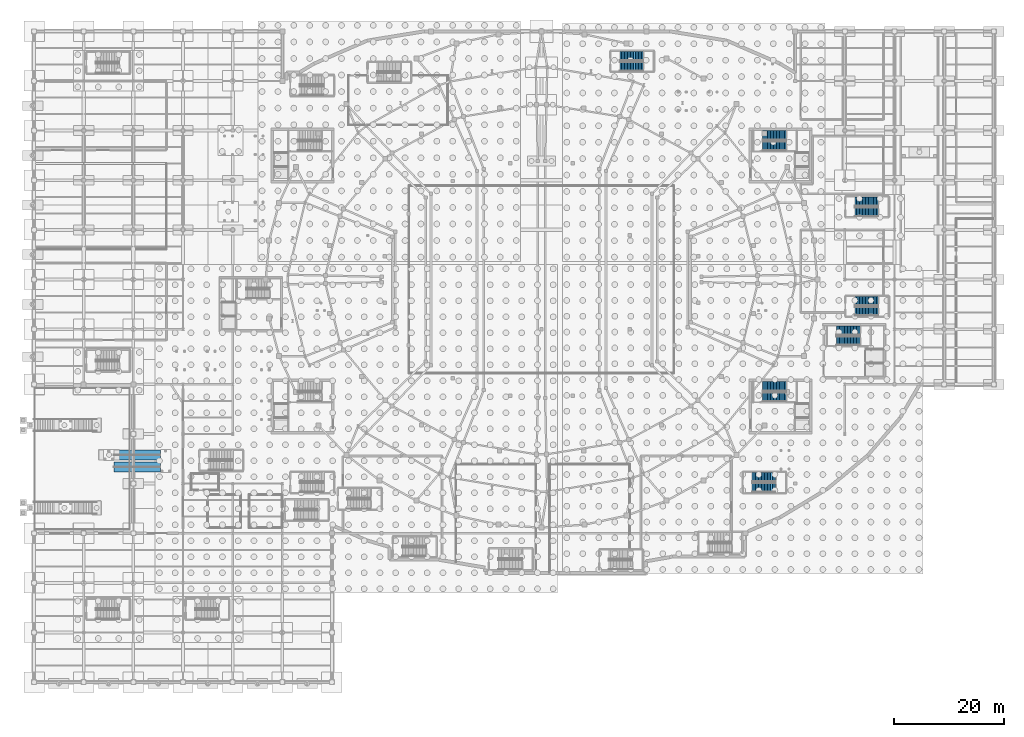
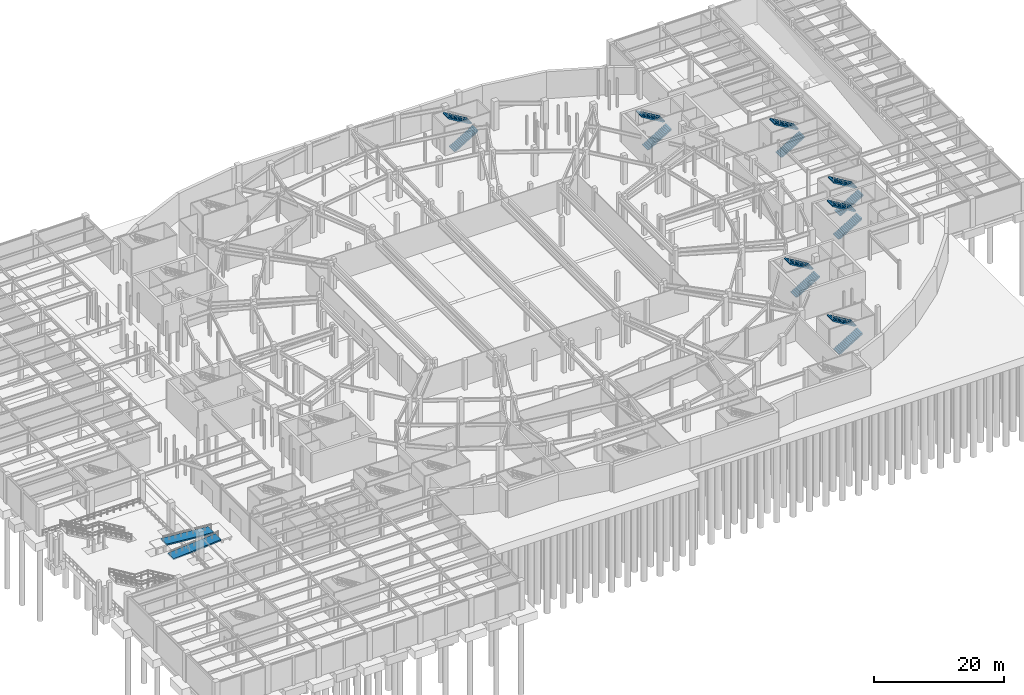
# One storey, part 51 of 56: 14 stair flights, 2 ramp flights, 9 elements without a shape of their own.
"""IFC4 building model written with IfcOpenShell, lengths in metres."""

from ifc_helpers import new_model, si_unit, direction, frame, origin, place, context, subcontext, project, spatial, polyline, outline, extrude, material, layer, layer_set, type_object, element, aggregate, save


model = new_model("IFC4")

# Units and contexts
model_context = context("Model", 3, precision=1e-05, world=origin(), true_north=direction((0.0, 1.0)))
body_context = subcontext(model_context, "Body", "Model", "MODEL_VIEW")
ifc_project = project(units=[si_unit("LENGTHUNIT", "METRE"), si_unit("AREAUNIT", "SQUARE_METRE"), si_unit("VOLUMEUNIT", "CUBIC_METRE"), si_unit("PLANEANGLEUNIT", "RADIAN"), si_unit("MASSUNIT", "GRAM", prefix="KILO")], contexts=[model_context])

# Site, building, storey
site_placement = place(None, origin())
site = spatial("IfcSite", under=ifc_project, at=site_placement, CompositionType="ELEMENT")
building_placement = place(site_placement, origin())
building = spatial("IfcBuilding", under=site, at=building_placement, Name="Glasvene Arena", CompositionType="ELEMENT")
storey_placement = place(building_placement, frame((0.0, 0.0, -5.39990234375)))
storey = spatial("IfcBuildingStorey", under=building, at=storey_placement, Name="B1", CompositionType="ELEMENT", Elevation=-5.39990234375)

# Stair, stair flights
ifc_material = material(Name="Concrete C40/50", Category="concrete")
stair_type_1 = type_object("IfcStairType", Name="ST-HT-540-165", PredefinedType="HALF_TURN_STAIR", material=ifc_material)
stair_1_placement = place(storey_placement, origin())
stair_1 = element("IfcStair", 1, at=stair_1_placement, inside=storey, type_object=stair_type_1, Name="Protected escape stair ST-11 (B1 to L00)", PredefinedType="HALF_TURN_STAIR")
stair_flight_type_1 = type_object("IfcStairFlightType", Name="SF-HT-540-165", PredefinedType="STRAIGHT", material=ifc_material)
stair_flight_1_placement = place(storey_placement, frame((106.199951171875, 111.625, 0.0), z_axis=(0.0, 0.0, 1.0), x_axis=(1.0, 0.0, 0.0)))
stair_flight_1 = element("IfcStairFlight", 2, at=stair_flight_1_placement, type_object=stair_flight_type_1, Name="Protected escape stair ST-11 (B1 to L00) flight 1", NumberOfRisers=16, NumberOfTreads=15, PredefinedType="STRAIGHT", RiserHeight=0.16875, TreadLength=0.28, context=body_context, shape_type="SweptSolid", body=[
    extrude(outline(polyline([(0.0, 0.0), (0.0, 0.168701171875), (0.280029296875, 0.168701171875), (0.280029296875, 0.33740234375), (0.56005859375, 0.33740234375), (0.56005859375, 0.50634765625), (0.840087890625, 0.50634765625), (0.840087890625, 0.675048828125), (1.1201171875, 0.675048828125), (1.1201171875, 0.84375), (1.39990234375, 0.84375), (1.39990234375, 1.012451171875), (1.679931640625, 1.012451171875), (1.679931640625, 1.18115234375), (1.9599609375, 1.18115234375), (1.9599609375, 1.35009765625), (2.239990234375, 1.35009765625), (2.239990234375, 1.518798828125), (2.52001953125, 1.518798828125), (2.52001953125, 1.6875), (2.800048828125, 1.6875), (2.800048828125, 1.856201171875), (3.080078125, 1.856201171875), (3.080078125, 2.02490234375), (3.360107421875, 2.02490234375), (3.360107421875, 2.19384765625), (3.639892578125, 2.19384765625), (3.639892578125, 2.362548828125), (3.919921875, 2.362548828125), (3.919921875, 2.53125), (4.199951171875, 2.53125), (4.199951171875, 2.699951171875), (4.199951171875, 2.2978515625), (0.387451171875, 0.0), (0.0, 0.0)])), frame((0.0, 0.824951171875, 0.0), z_axis=(0.0, -1.0, 0.0), x_axis=(1.0, 0.0, 0.0)), (0.0, 0.0, 1.0), 1.64990234375),
])
stair_flight_2_placement = place(storey_placement, frame((110.39990234375, 113.52490234375, 2.699951171875), z_axis=(0.0, 0.0, 1.0), x_axis=(-1.0, 0.0, 0.0)))
stair_flight_2 = element("IfcStairFlight", 3, at=stair_flight_2_placement, type_object=stair_flight_type_1, Name="Protected escape stair ST-11 (B1 to L00) flight 2", NumberOfRisers=16, NumberOfTreads=15, PredefinedType="STRAIGHT", RiserHeight=0.16875, TreadLength=0.28, context=body_context, shape_type="SweptSolid", body=[
    extrude(outline(polyline([(0.0, 0.0), (0.0, 0.168701171875), (0.280029296875, 0.168701171875), (0.280029296875, 0.33740234375), (0.56005859375, 0.33740234375), (0.56005859375, 0.50634765625), (0.840087890625, 0.50634765625), (0.840087890625, 0.675048828125), (1.1201171875, 0.675048828125), (1.1201171875, 0.84375), (1.39990234375, 0.84375), (1.39990234375, 1.012451171875), (1.679931640625, 1.012451171875), (1.679931640625, 1.18115234375), (1.9599609375, 1.18115234375), (1.9599609375, 1.35009765625), (2.239990234375, 1.35009765625), (2.239990234375, 1.518798828125), (2.52001953125, 1.518798828125), (2.52001953125, 1.6875), (2.800048828125, 1.6875), (2.800048828125, 1.856201171875), (3.080078125, 1.856201171875), (3.080078125, 2.02490234375), (3.360107421875, 2.02490234375), (3.360107421875, 2.19384765625), (3.639892578125, 2.19384765625), (3.639892578125, 2.362548828125), (3.919921875, 2.362548828125), (3.919921875, 2.53125), (4.199951171875, 2.53125), (4.199951171875, 2.699951171875), (4.199951171875, 2.2978515625), (0.387451171875, 0.0), (0.0, 0.0)])), frame((0.0, 0.824951171875, 0.0), z_axis=(0.0, -1.0, 0.0), x_axis=(1.0, 0.0, 0.0)), (0.0, 0.0, 1.0), 1.64990234375),
])
aggregate(stair_1, [stair_flight_1, stair_flight_2])

stair_2_placement = place(storey_placement, origin())
stair_2 = element("IfcStair", 4, at=stair_2_placement, inside=storey, type_object=stair_type_1, Name="Protected escape stair ST-B01 (B1 to L00)", PredefinedType="HALF_TURN_STAIR")
stair_flight_3_placement = place(storey_placement, frame((145.5, 61.875, 0.0), z_axis=(0.0, 0.0, 1.0), x_axis=(1.0, 0.0, 0.0)))
stair_flight_3 = element("IfcStairFlight", 5, at=stair_flight_3_placement, type_object=stair_flight_type_1, Name="Protected escape stair ST-B01 (B1 to L00) flight 1", NumberOfRisers=16, NumberOfTreads=15, PredefinedType="STRAIGHT", RiserHeight=0.16875, TreadLength=0.28, context=body_context, shape_type="SweptSolid", body=[
    extrude(outline(polyline([(0.0, 0.0), (0.0, 0.168701171875), (0.280029296875, 0.168701171875), (0.280029296875, 0.33740234375), (0.56005859375, 0.33740234375), (0.56005859375, 0.50634765625), (0.840087890625, 0.50634765625), (0.840087890625, 0.675048828125), (1.1201171875, 0.675048828125), (1.1201171875, 0.84375), (1.39990234375, 0.84375), (1.39990234375, 1.012451171875), (1.679931640625, 1.012451171875), (1.679931640625, 1.18115234375), (1.9599609375, 1.18115234375), (1.9599609375, 1.35009765625), (2.239990234375, 1.35009765625), (2.239990234375, 1.518798828125), (2.52001953125, 1.518798828125), (2.52001953125, 1.6875), (2.800048828125, 1.6875), (2.800048828125, 1.856201171875), (3.080078125, 1.856201171875), (3.080078125, 2.02490234375), (3.360107421875, 2.02490234375), (3.360107421875, 2.19384765625), (3.639892578125, 2.19384765625), (3.639892578125, 2.362548828125), (3.919921875, 2.362548828125), (3.919921875, 2.53125), (4.199951171875, 2.53125), (4.199951171875, 2.699951171875), (4.199951171875, 2.2978515625), (0.387451171875, 0.0), (0.0, 0.0)])), frame((0.0, 0.824951171875, 0.0), z_axis=(0.0, -1.0, 0.0), x_axis=(1.0, 0.0, 0.0)), (0.0, 0.0, 1.0), 1.64990234375),
])
stair_flight_4_placement = place(storey_placement, frame((149.699951171875, 63.77490234375, 2.699951171875), z_axis=(0.0, 0.0, 1.0), x_axis=(-1.0, 0.0, 0.0)))
stair_flight_4 = element("IfcStairFlight", 6, at=stair_flight_4_placement, type_object=stair_flight_type_1, Name="Protected escape stair ST-B01 (B1 to L00) flight 2", NumberOfRisers=16, NumberOfTreads=15, PredefinedType="STRAIGHT", RiserHeight=0.16875, TreadLength=0.28, context=body_context, shape_type="SweptSolid", body=[
    extrude(outline(polyline([(0.0, 0.0), (0.0, 0.168701171875), (0.280029296875, 0.168701171875), (0.280029296875, 0.33740234375), (0.56005859375, 0.33740234375), (0.56005859375, 0.50634765625), (0.840087890625, 0.50634765625), (0.840087890625, 0.675048828125), (1.1201171875, 0.675048828125), (1.1201171875, 0.84375), (1.39990234375, 0.84375), (1.39990234375, 1.012451171875), (1.679931640625, 1.012451171875), (1.679931640625, 1.18115234375), (1.9599609375, 1.18115234375), (1.9599609375, 1.35009765625), (2.239990234375, 1.35009765625), (2.239990234375, 1.518798828125), (2.52001953125, 1.518798828125), (2.52001953125, 1.6875), (2.800048828125, 1.6875), (2.800048828125, 1.856201171875), (3.080078125, 1.856201171875), (3.080078125, 2.02490234375), (3.360107421875, 2.02490234375), (3.360107421875, 2.19384765625), (3.639892578125, 2.19384765625), (3.639892578125, 2.362548828125), (3.919921875, 2.362548828125), (3.919921875, 2.53125), (4.199951171875, 2.53125), (4.199951171875, 2.699951171875), (4.199951171875, 2.2978515625), (0.387451171875, 0.0), (0.0, 0.0)])), frame((0.0, 0.824951171875, 0.0), z_axis=(0.0, -1.0, 0.0), x_axis=(1.0, 0.0, 0.0)), (0.0, 0.0, 1.0), 1.64990234375),
])
aggregate(stair_2, [stair_flight_3, stair_flight_4])

stair_3_placement = place(storey_placement, origin())
stair_3 = element("IfcStair", 7, at=stair_3_placement, inside=storey, type_object=stair_type_1, Name="Protected escape stair ST-B04 (B1 to L00)", PredefinedType="HALF_TURN_STAIR")
stair_flight_5_placement = place(storey_placement, frame((148.800048828125, 67.22509765625, 0.0), z_axis=(0.0, 0.0, 1.0), x_axis=(1.0, 0.0, 0.0)))
stair_flight_5 = element("IfcStairFlight", 8, at=stair_flight_5_placement, type_object=stair_flight_type_1, Name="Protected escape stair ST-B04 (B1 to L00) flight 1", NumberOfRisers=16, NumberOfTreads=15, PredefinedType="STRAIGHT", RiserHeight=0.16875, TreadLength=0.28, context=body_context, shape_type="SweptSolid", body=[
    extrude(outline(polyline([(0.0, 0.0), (0.0, 0.168701171875), (0.280029296875, 0.168701171875), (0.280029296875, 0.33740234375), (0.56005859375, 0.33740234375), (0.56005859375, 0.50634765625), (0.840087890625, 0.50634765625), (0.840087890625, 0.675048828125), (1.1201171875, 0.675048828125), (1.1201171875, 0.84375), (1.39990234375, 0.84375), (1.39990234375, 1.012451171875), (1.679931640625, 1.012451171875), (1.679931640625, 1.18115234375), (1.9599609375, 1.18115234375), (1.9599609375, 1.35009765625), (2.239990234375, 1.35009765625), (2.239990234375, 1.518798828125), (2.52001953125, 1.518798828125), (2.52001953125, 1.6875), (2.800048828125, 1.6875), (2.800048828125, 1.856201171875), (3.080078125, 1.856201171875), (3.080078125, 2.02490234375), (3.360107421875, 2.02490234375), (3.360107421875, 2.19384765625), (3.639892578125, 2.19384765625), (3.639892578125, 2.362548828125), (3.919921875, 2.362548828125), (3.919921875, 2.53125), (4.199951171875, 2.53125), (4.199951171875, 2.699951171875), (4.199951171875, 2.2978515625), (0.387451171875, 0.0), (0.0, 0.0)])), frame((0.0, 0.824951171875, 0.0), z_axis=(0.0, -1.0, 0.0), x_axis=(1.0, 0.0, 0.0)), (0.0, 0.0, 1.0), 1.64990234375),
])
stair_flight_6_placement = place(storey_placement, frame((153.0, 69.125, 2.699951171875), z_axis=(0.0, 0.0, 1.0), x_axis=(-1.0, 0.0, 0.0)))
stair_flight_6 = element("IfcStairFlight", 9, at=stair_flight_6_placement, type_object=stair_flight_type_1, Name="Protected escape stair ST-B04 (B1 to L00) flight 2", NumberOfRisers=16, NumberOfTreads=15, PredefinedType="STRAIGHT", RiserHeight=0.16875, TreadLength=0.28, context=body_context, shape_type="SweptSolid", body=[
    extrude(outline(polyline([(0.0, 0.0), (0.0, 0.168701171875), (0.280029296875, 0.168701171875), (0.280029296875, 0.33740234375), (0.56005859375, 0.33740234375), (0.56005859375, 0.50634765625), (0.840087890625, 0.50634765625), (0.840087890625, 0.675048828125), (1.1201171875, 0.675048828125), (1.1201171875, 0.84375), (1.39990234375, 0.84375), (1.39990234375, 1.012451171875), (1.679931640625, 1.012451171875), (1.679931640625, 1.18115234375), (1.9599609375, 1.18115234375), (1.9599609375, 1.35009765625), (2.239990234375, 1.35009765625), (2.239990234375, 1.518798828125), (2.52001953125, 1.518798828125), (2.52001953125, 1.6875), (2.800048828125, 1.6875), (2.800048828125, 1.856201171875), (3.080078125, 1.856201171875), (3.080078125, 2.02490234375), (3.360107421875, 2.02490234375), (3.360107421875, 2.19384765625), (3.639892578125, 2.19384765625), (3.639892578125, 2.362548828125), (3.919921875, 2.362548828125), (3.919921875, 2.53125), (4.199951171875, 2.53125), (4.199951171875, 2.699951171875), (4.199951171875, 2.2978515625), (0.387451171875, 0.0), (0.0, 0.0)])), frame((0.0, 0.824951171875, 0.0), z_axis=(0.0, -1.0, 0.0), x_axis=(1.0, 0.0, 0.0)), (0.0, 0.0, 1.0), 1.64990234375),
])
aggregate(stair_3, [stair_flight_5, stair_flight_6])

stair_4_placement = place(storey_placement, origin())
stair_4 = element("IfcStair", 10, at=stair_4_placement, inside=storey, type_object=stair_type_1, Name="Protected escape stair ST-B05 (B1 to L00)", PredefinedType="HALF_TURN_STAIR")
stair_flight_7_placement = place(storey_placement, frame((148.800048828125, 85.22509765625, 0.0), z_axis=(0.0, 0.0, 1.0), x_axis=(1.0, 0.0, 0.0)))
stair_flight_7 = element("IfcStairFlight", 11, at=stair_flight_7_placement, type_object=stair_flight_type_1, Name="Protected escape stair ST-B05 (B1 to L00) flight 1", NumberOfRisers=16, NumberOfTreads=15, PredefinedType="STRAIGHT", RiserHeight=0.16875, TreadLength=0.28, context=body_context, shape_type="SweptSolid", body=[
    extrude(outline(polyline([(0.0, 0.0), (0.0, 0.168701171875), (0.280029296875, 0.168701171875), (0.280029296875, 0.33740234375), (0.56005859375, 0.33740234375), (0.56005859375, 0.50634765625), (0.840087890625, 0.50634765625), (0.840087890625, 0.675048828125), (1.1201171875, 0.675048828125), (1.1201171875, 0.84375), (1.39990234375, 0.84375), (1.39990234375, 1.012451171875), (1.679931640625, 1.012451171875), (1.679931640625, 1.18115234375), (1.9599609375, 1.18115234375), (1.9599609375, 1.35009765625), (2.239990234375, 1.35009765625), (2.239990234375, 1.518798828125), (2.52001953125, 1.518798828125), (2.52001953125, 1.6875), (2.800048828125, 1.6875), (2.800048828125, 1.856201171875), (3.080078125, 1.856201171875), (3.080078125, 2.02490234375), (3.360107421875, 2.02490234375), (3.360107421875, 2.19384765625), (3.639892578125, 2.19384765625), (3.639892578125, 2.362548828125), (3.919921875, 2.362548828125), (3.919921875, 2.53125), (4.199951171875, 2.53125), (4.199951171875, 2.699951171875), (4.199951171875, 2.2978515625), (0.387451171875, 0.0), (0.0, 0.0)])), frame((0.0, 0.824951171875, 0.0), z_axis=(0.0, -1.0, 0.0), x_axis=(1.0, 0.0, 0.0)), (0.0, 0.0, 1.0), 1.64990234375),
])
stair_flight_8_placement = place(storey_placement, frame((153.0, 87.125, 2.699951171875), z_axis=(0.0, 0.0, 1.0), x_axis=(-1.0, 0.0, 0.0)))
stair_flight_8 = element("IfcStairFlight", 12, at=stair_flight_8_placement, type_object=stair_flight_type_1, Name="Protected escape stair ST-B05 (B1 to L00) flight 2", NumberOfRisers=16, NumberOfTreads=15, PredefinedType="STRAIGHT", RiserHeight=0.16875, TreadLength=0.28, context=body_context, shape_type="SweptSolid", body=[
    extrude(outline(polyline([(0.0, 0.0), (0.0, 0.168701171875), (0.280029296875, 0.168701171875), (0.280029296875, 0.33740234375), (0.56005859375, 0.33740234375), (0.56005859375, 0.50634765625), (0.840087890625, 0.50634765625), (0.840087890625, 0.675048828125), (1.1201171875, 0.675048828125), (1.1201171875, 0.84375), (1.39990234375, 0.84375), (1.39990234375, 1.012451171875), (1.679931640625, 1.012451171875), (1.679931640625, 1.18115234375), (1.9599609375, 1.18115234375), (1.9599609375, 1.35009765625), (2.239990234375, 1.35009765625), (2.239990234375, 1.518798828125), (2.52001953125, 1.518798828125), (2.52001953125, 1.6875), (2.800048828125, 1.6875), (2.800048828125, 1.856201171875), (3.080078125, 1.856201171875), (3.080078125, 2.02490234375), (3.360107421875, 2.02490234375), (3.360107421875, 2.19384765625), (3.639892578125, 2.19384765625), (3.639892578125, 2.362548828125), (3.919921875, 2.362548828125), (3.919921875, 2.53125), (4.199951171875, 2.53125), (4.199951171875, 2.699951171875), (4.199951171875, 2.2978515625), (0.387451171875, 0.0), (0.0, 0.0)])), frame((0.0, 0.824951171875, 0.0), z_axis=(0.0, -1.0, 0.0), x_axis=(1.0, 0.0, 0.0)), (0.0, 0.0, 1.0), 1.64990234375),
])
aggregate(stair_4, [stair_flight_7, stair_flight_8])

stair_type_2 = type_object("IfcStairType", Name="ST-HT-540-170", PredefinedType="HALF_TURN_STAIR", material=ifc_material)
stair_5_placement = place(storey_placement, origin())
stair_5 = element("IfcStair", 13, at=stair_5_placement, inside=storey, type_object=stair_type_2, Name="Protected escape stair ST-02 (B1 to L00)", PredefinedType="HALF_TURN_STAIR")
stair_flight_type_2 = type_object("IfcStairFlightType", Name="SF-HT-540-170", PredefinedType="STRAIGHT", material=ifc_material)
stair_flight_9_placement = place(storey_placement, frame((132.10009765625, 97.199951171875, 0.0), z_axis=(0.0, 0.0, 1.0), x_axis=(1.0, 0.0, 0.0)))
stair_flight_9 = element("IfcStairFlight", 14, at=stair_flight_9_placement, type_object=stair_flight_type_2, Name="Protected escape stair ST-02 (B1 to L00) flight 1", NumberOfRisers=16, NumberOfTreads=15, PredefinedType="STRAIGHT", RiserHeight=0.16875, TreadLength=0.28, context=body_context, shape_type="SweptSolid", body=[
    extrude(outline(polyline([(0.0, 0.0), (0.0, 0.168701171875), (0.280029296875, 0.168701171875), (0.280029296875, 0.33740234375), (0.56005859375, 0.33740234375), (0.56005859375, 0.50634765625), (0.840087890625, 0.50634765625), (0.840087890625, 0.675048828125), (1.1201171875, 0.675048828125), (1.1201171875, 0.84375), (1.39990234375, 0.84375), (1.39990234375, 1.012451171875), (1.679931640625, 1.012451171875), (1.679931640625, 1.18115234375), (1.9599609375, 1.18115234375), (1.9599609375, 1.35009765625), (2.239990234375, 1.35009765625), (2.239990234375, 1.518798828125), (2.52001953125, 1.518798828125), (2.52001953125, 1.6875), (2.800048828125, 1.6875), (2.800048828125, 1.856201171875), (3.080078125, 1.856201171875), (3.080078125, 2.02490234375), (3.360107421875, 2.02490234375), (3.360107421875, 2.19384765625), (3.639892578125, 2.19384765625), (3.639892578125, 2.362548828125), (3.919921875, 2.362548828125), (3.919921875, 2.53125), (4.199951171875, 2.53125), (4.199951171875, 2.699951171875), (4.199951171875, 2.2978515625), (0.387451171875, 0.0), (0.0, 0.0)])), frame((0.0, 0.85009765625, 0.0), z_axis=(0.0, -1.0, 0.0), x_axis=(1.0, 0.0, 0.0)), (0.0, 0.0, 1.0), 1.699951171875),
])
stair_flight_10_placement = place(storey_placement, frame((136.300048828125, 99.14990234375, 2.699951171875), z_axis=(0.0, 0.0, 1.0), x_axis=(-1.0, 0.0, 0.0)))
stair_flight_10 = element("IfcStairFlight", 15, at=stair_flight_10_placement, type_object=stair_flight_type_2, Name="Protected escape stair ST-02 (B1 to L00) flight 2", NumberOfRisers=16, NumberOfTreads=15, PredefinedType="STRAIGHT", RiserHeight=0.16875, TreadLength=0.28, context=body_context, shape_type="SweptSolid", body=[
    extrude(outline(polyline([(0.0, 0.0), (0.0, 0.168701171875), (0.280029296875, 0.168701171875), (0.280029296875, 0.33740234375), (0.56005859375, 0.33740234375), (0.56005859375, 0.50634765625), (0.840087890625, 0.50634765625), (0.840087890625, 0.675048828125), (1.1201171875, 0.675048828125), (1.1201171875, 0.84375), (1.39990234375, 0.84375), (1.39990234375, 1.012451171875), (1.679931640625, 1.012451171875), (1.679931640625, 1.18115234375), (1.9599609375, 1.18115234375), (1.9599609375, 1.35009765625), (2.239990234375, 1.35009765625), (2.239990234375, 1.518798828125), (2.52001953125, 1.518798828125), (2.52001953125, 1.6875), (2.800048828125, 1.6875), (2.800048828125, 1.856201171875), (3.080078125, 1.856201171875), (3.080078125, 2.02490234375), (3.360107421875, 2.02490234375), (3.360107421875, 2.19384765625), (3.639892578125, 2.19384765625), (3.639892578125, 2.362548828125), (3.919921875, 2.362548828125), (3.919921875, 2.53125), (4.199951171875, 2.53125), (4.199951171875, 2.699951171875), (4.199951171875, 2.2978515625), (0.387451171875, 0.0), (0.0, 0.0)])), frame((0.0, 0.85009765625, 0.0), z_axis=(0.0, -1.0, 0.0), x_axis=(1.0, 0.0, 0.0)), (0.0, 0.0, 1.0), 1.699951171875),
])
aggregate(stair_5, [stair_flight_9, stair_flight_10])

stair_6_placement = place(storey_placement, origin())
stair_6 = element("IfcStair", 16, at=stair_6_placement, inside=storey, type_object=stair_type_2, Name="Protected escape stair ST-04 (B1 to L00)", PredefinedType="HALF_TURN_STAIR")
stair_flight_11_placement = place(storey_placement, frame((132.10009765625, 51.699951171875, 0.0), z_axis=(0.0, 0.0, 1.0), x_axis=(1.0, 0.0, 0.0)))
stair_flight_11 = element("IfcStairFlight", 17, at=stair_flight_11_placement, type_object=stair_flight_type_2, Name="Protected escape stair ST-04 (B1 to L00) flight 1", NumberOfRisers=16, NumberOfTreads=15, PredefinedType="STRAIGHT", RiserHeight=0.16875, TreadLength=0.28, context=body_context, shape_type="SweptSolid", body=[
    extrude(outline(polyline([(0.0, 0.0), (0.0, 0.168701171875), (0.280029296875, 0.168701171875), (0.280029296875, 0.33740234375), (0.56005859375, 0.33740234375), (0.56005859375, 0.50634765625), (0.840087890625, 0.50634765625), (0.840087890625, 0.675048828125), (1.1201171875, 0.675048828125), (1.1201171875, 0.84375), (1.39990234375, 0.84375), (1.39990234375, 1.012451171875), (1.679931640625, 1.012451171875), (1.679931640625, 1.18115234375), (1.9599609375, 1.18115234375), (1.9599609375, 1.35009765625), (2.239990234375, 1.35009765625), (2.239990234375, 1.518798828125), (2.52001953125, 1.518798828125), (2.52001953125, 1.6875), (2.800048828125, 1.6875), (2.800048828125, 1.856201171875), (3.080078125, 1.856201171875), (3.080078125, 2.02490234375), (3.360107421875, 2.02490234375), (3.360107421875, 2.19384765625), (3.639892578125, 2.19384765625), (3.639892578125, 2.362548828125), (3.919921875, 2.362548828125), (3.919921875, 2.53125), (4.199951171875, 2.53125), (4.199951171875, 2.699951171875), (4.199951171875, 2.2978515625), (0.387451171875, 0.0), (0.0, 0.0)])), frame((0.0, 0.85009765625, 0.0), z_axis=(0.0, -1.0, 0.0), x_axis=(1.0, 0.0, 0.0)), (0.0, 0.0, 1.0), 1.699951171875),
])
stair_flight_12_placement = place(storey_placement, frame((136.300048828125, 53.64990234375, 2.699951171875), z_axis=(0.0, 0.0, 1.0), x_axis=(-1.0, 0.0, 0.0)))
stair_flight_12 = element("IfcStairFlight", 18, at=stair_flight_12_placement, type_object=stair_flight_type_2, Name="Protected escape stair ST-04 (B1 to L00) flight 2", NumberOfRisers=16, NumberOfTreads=15, PredefinedType="STRAIGHT", RiserHeight=0.16875, TreadLength=0.28, context=body_context, shape_type="SweptSolid", body=[
    extrude(outline(polyline([(0.0, 0.0), (0.0, 0.168701171875), (0.280029296875, 0.168701171875), (0.280029296875, 0.33740234375), (0.56005859375, 0.33740234375), (0.56005859375, 0.50634765625), (0.840087890625, 0.50634765625), (0.840087890625, 0.675048828125), (1.1201171875, 0.675048828125), (1.1201171875, 0.84375), (1.39990234375, 0.84375), (1.39990234375, 1.012451171875), (1.679931640625, 1.012451171875), (1.679931640625, 1.18115234375), (1.9599609375, 1.18115234375), (1.9599609375, 1.35009765625), (2.239990234375, 1.35009765625), (2.239990234375, 1.518798828125), (2.52001953125, 1.518798828125), (2.52001953125, 1.6875), (2.800048828125, 1.6875), (2.800048828125, 1.856201171875), (3.080078125, 1.856201171875), (3.080078125, 2.02490234375), (3.360107421875, 2.02490234375), (3.360107421875, 2.19384765625), (3.639892578125, 2.19384765625), (3.639892578125, 2.362548828125), (3.919921875, 2.362548828125), (3.919921875, 2.53125), (4.199951171875, 2.53125), (4.199951171875, 2.699951171875), (4.199951171875, 2.2978515625), (0.387451171875, 0.0), (0.0, 0.0)])), frame((0.0, 0.85009765625, 0.0), z_axis=(0.0, -1.0, 0.0), x_axis=(1.0, 0.0, 0.0)), (0.0, 0.0, 1.0), 1.699951171875),
])
aggregate(stair_6, [stair_flight_11, stair_flight_12])

stair_7_placement = place(storey_placement, origin())
stair_7 = element("IfcStair", 19, at=stair_7_placement, inside=storey, type_object=stair_type_2, Name="Protected escape stair ST-06 (B1 to L00)", PredefinedType="HALF_TURN_STAIR")
stair_flight_13_placement = place(storey_placement, frame((130.199951171875, 35.25, 0.0), z_axis=(0.0, 0.0, 1.0), x_axis=(1.0, 0.0, 0.0)))
stair_flight_13 = element("IfcStairFlight", 20, at=stair_flight_13_placement, type_object=stair_flight_type_2, Name="Protected escape stair ST-06 (B1 to L00) flight 1", NumberOfRisers=16, NumberOfTreads=15, PredefinedType="STRAIGHT", RiserHeight=0.16875, TreadLength=0.28, context=body_context, shape_type="SweptSolid", body=[
    extrude(outline(polyline([(0.0, 0.0), (0.0, 0.168701171875), (0.280029296875, 0.168701171875), (0.280029296875, 0.33740234375), (0.56005859375, 0.33740234375), (0.56005859375, 0.50634765625), (0.840087890625, 0.50634765625), (0.840087890625, 0.675048828125), (1.1201171875, 0.675048828125), (1.1201171875, 0.84375), (1.39990234375, 0.84375), (1.39990234375, 1.012451171875), (1.679931640625, 1.012451171875), (1.679931640625, 1.18115234375), (1.9599609375, 1.18115234375), (1.9599609375, 1.35009765625), (2.239990234375, 1.35009765625), (2.239990234375, 1.518798828125), (2.52001953125, 1.518798828125), (2.52001953125, 1.6875), (2.800048828125, 1.6875), (2.800048828125, 1.856201171875), (3.080078125, 1.856201171875), (3.080078125, 2.02490234375), (3.360107421875, 2.02490234375), (3.360107421875, 2.19384765625), (3.639892578125, 2.19384765625), (3.639892578125, 2.362548828125), (3.919921875, 2.362548828125), (3.919921875, 2.53125), (4.199951171875, 2.53125), (4.199951171875, 2.699951171875), (4.199951171875, 2.2978515625), (0.387451171875, 0.0), (0.0, 0.0)])), frame((0.0, 0.85009765625, 0.0), z_axis=(0.0, -1.0, 0.0), x_axis=(1.0, 0.0, 0.0)), (0.0, 0.0, 1.0), 1.699951171875),
])
stair_flight_14_placement = place(storey_placement, frame((134.39990234375, 37.199951171875, 2.699951171875), z_axis=(0.0, 0.0, 1.0), x_axis=(-1.0, 0.0, 0.0)))
stair_flight_14 = element("IfcStairFlight", 21, at=stair_flight_14_placement, type_object=stair_flight_type_2, Name="Protected escape stair ST-06 (B1 to L00) flight 2", NumberOfRisers=16, NumberOfTreads=15, PredefinedType="STRAIGHT", RiserHeight=0.16875, TreadLength=0.28, context=body_context, shape_type="SweptSolid", body=[
    extrude(outline(polyline([(0.0, 0.0), (0.0, 0.168701171875), (0.280029296875, 0.168701171875), (0.280029296875, 0.33740234375), (0.56005859375, 0.33740234375), (0.56005859375, 0.50634765625), (0.840087890625, 0.50634765625), (0.840087890625, 0.675048828125), (1.1201171875, 0.675048828125), (1.1201171875, 0.84375), (1.39990234375, 0.84375), (1.39990234375, 1.012451171875), (1.679931640625, 1.012451171875), (1.679931640625, 1.18115234375), (1.9599609375, 1.18115234375), (1.9599609375, 1.35009765625), (2.239990234375, 1.35009765625), (2.239990234375, 1.518798828125), (2.52001953125, 1.518798828125), (2.52001953125, 1.6875), (2.800048828125, 1.6875), (2.800048828125, 1.856201171875), (3.080078125, 1.856201171875), (3.080078125, 2.02490234375), (3.360107421875, 2.02490234375), (3.360107421875, 2.19384765625), (3.639892578125, 2.19384765625), (3.639892578125, 2.362548828125), (3.919921875, 2.362548828125), (3.919921875, 2.53125), (4.199951171875, 2.53125), (4.199951171875, 2.699951171875), (4.199951171875, 2.2978515625), (0.387451171875, 0.0), (0.0, 0.0)])), frame((0.0, 0.85009765625, 0.0), z_axis=(0.0, -1.0, 0.0), x_axis=(1.0, 0.0, 0.0)), (0.0, 0.0, 1.0), 1.699951171875),
])
aggregate(stair_7, [stair_flight_13, stair_flight_14])

# Ramp, ramp flight
ramp_type = type_object("IfcRampType", Name="RP-PED-180", PredefinedType="STRAIGHT_RUN_RAMP", material=ifc_material)
ramp_1_placement = place(storey_placement, origin())
ramp_1 = element("IfcRamp", 22, at=ramp_1_placement, inside=storey, type_object=ramp_type, Name="Accessible 1:12 pedestrian ramp RP-P3", PredefinedType="STRAIGHT_RUN_RAMP")
ifc_layer = layer(ifc_material, 0.25)
ifc_layer_set = layer_set([ifc_layer], Name="Concrete C40/50")
ramp_flight_type = type_object("IfcRampFlightType", Name="RF-PED-180", PredefinedType="STRAIGHT", material=ifc_layer_set)
ramp_flight_1_placement = place(storey_placement, frame((14.5, 39.0, 0.0), z_axis=(0.0, 0.0, 1.0), x_axis=(1.0, 0.0, 0.0)))
ramp_flight_1 = element("IfcRampFlight", 23, at=ramp_flight_1_placement, type_object=ramp_flight_type, Name="Accessible 1:12 pedestrian ramp RP-P3 flight 1", PredefinedType="STRAIGHT", context=body_context, shape_type="SweptSolid", body=[
    extrude(outline(polyline([(0.0, -0.2509765625), (8.39990234375, 0.448974609375), (8.39990234375, 0.699951171875), (0.0, 0.0), (0.0, -0.2509765625)])), frame((0.0, 0.89990234375, 0.0), z_axis=(0.0, -1.0, 0.0), x_axis=(1.0, 0.0, 0.0)), (0.0, 0.0, 1.0), 1.800048828125),
])
aggregate(ramp_1, [ramp_flight_1])

ramp_2_placement = place(storey_placement, origin())
ramp_2 = element("IfcRamp", 24, at=ramp_2_placement, inside=storey, type_object=ramp_type, Name="Accessible 1:12 pedestrian ramp RP-P4", PredefinedType="STRAIGHT_RUN_RAMP")
ramp_flight_2_placement = place(storey_placement, frame((22.89990234375, 41.199951171875, 0.699951171875), z_axis=(0.0, 0.0, 1.0), x_axis=(-1.0, 0.0, 0.0)))
ramp_flight_2 = element("IfcRampFlight", 25, at=ramp_flight_2_placement, type_object=ramp_flight_type, Name="Accessible 1:12 pedestrian ramp RP-P4 flight 1", PredefinedType="STRAIGHT", context=body_context, shape_type="SweptSolid", body=[
    extrude(outline(polyline([(0.0, -0.2509765625), (8.39990234375, 0.448974609375), (8.39990234375, 0.699951171875), (0.0, 0.0), (0.0, -0.2509765625)])), frame((0.0, 0.89990234375, 0.0), z_axis=(0.0, -1.0, 0.0), x_axis=(1.0, 0.0, 0.0)), (0.0, 0.0, 1.0), 1.800048828125),
])
aggregate(ramp_2, [ramp_flight_2])

save(model, "model.ifc")
